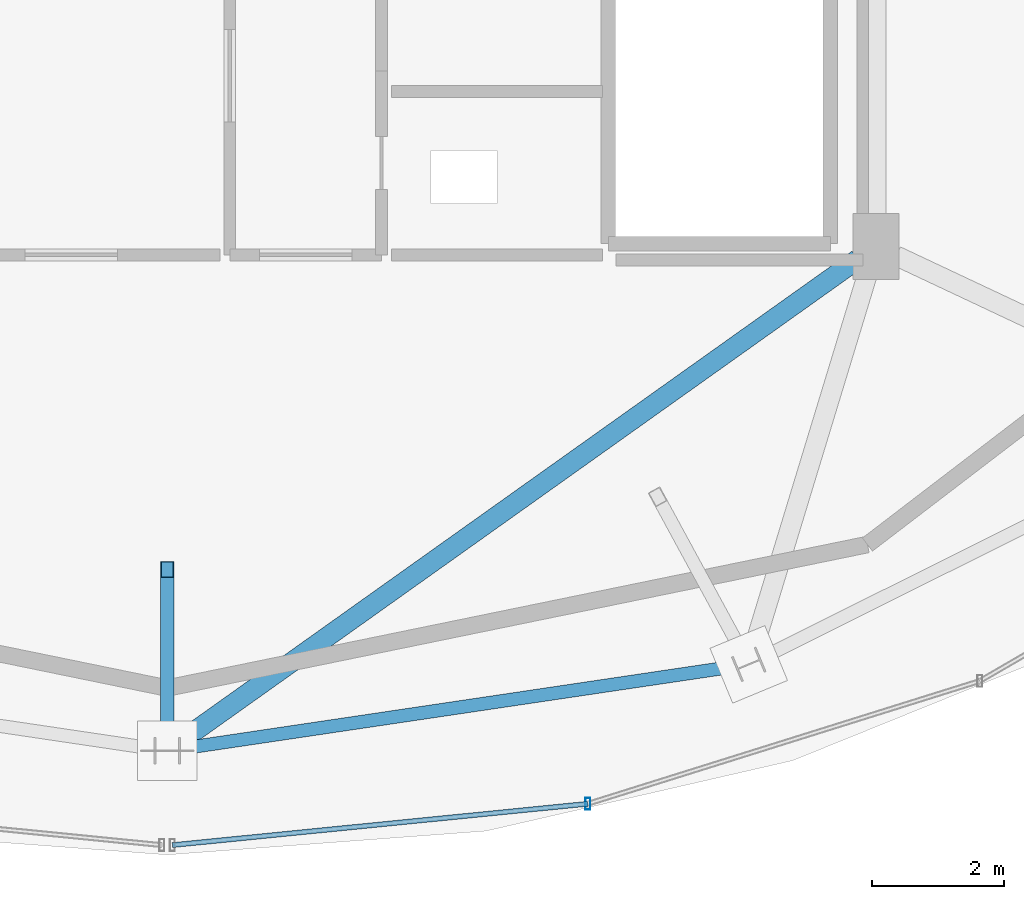
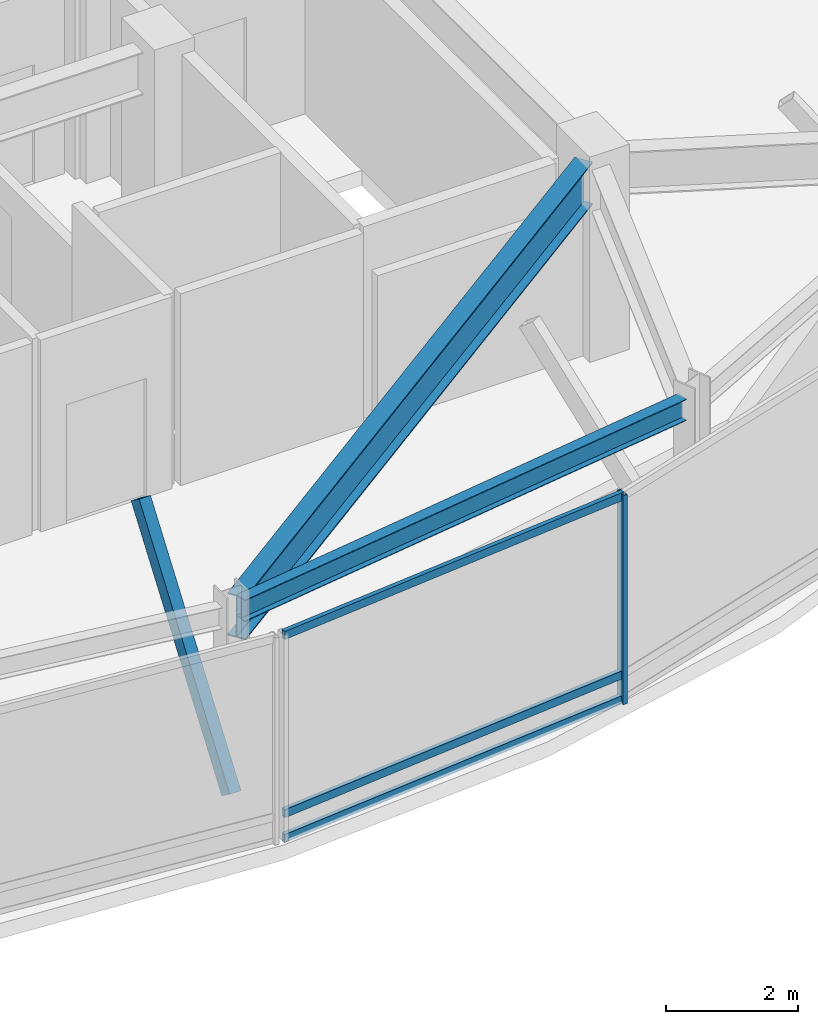
# One storey, part 7 of 28: 5 members, 2 beams, 1 element without a shape of its own.
"""IFC4 building model written with IfcOpenShell, lengths in metres."""

from ifc_helpers import new_model, si_unit, direction, frame, origin, origin_2d, place, context, subcontext, project, spatial, hollow_rectangle, i_section, extrude, material, material_profile, profile_set, type_object, element, aggregate, save


model = new_model("IFC4")

# Units and contexts
model_context = context("Model", 3, precision=1e-05, world=origin(), true_north=direction((0.0, 1.0)))
body_context = subcontext(model_context, "Body", "Model", "MODEL_VIEW")
ifc_project = project(units=[si_unit("LENGTHUNIT", "METRE"), si_unit("AREAUNIT", "SQUARE_METRE"), si_unit("VOLUMEUNIT", "CUBIC_METRE"), si_unit("PLANEANGLEUNIT", "RADIAN"), si_unit("MASSUNIT", "GRAM", prefix="KILO")], contexts=[model_context])

# Site, building, storey
site_placement = place(None, origin())
site = spatial("IfcSite", under=ifc_project, at=site_placement, CompositionType="ELEMENT")
building_placement = place(site_placement, origin())
building = spatial("IfcBuilding", under=site, at=building_placement, Name="Vorneva Point Tower", CompositionType="ELEMENT")
storey_placement = place(building_placement, frame((0.0, 0.0, 295.39990234375)))
storey = spatial("IfcBuildingStorey", under=building, at=storey_placement, Name="C01", CompositionType="ELEMENT", Elevation=295.39990234375)

# Beams
ifc_material_1 = material(Name="Steel S355", Category="steel")
ifc_material_profile_1 = material_profile(ifc_material_1, i_section(OverallWidth=0.300048828125, OverallDepth=0.7880859375, WebThickness=0.014404296875, FlangeThickness=0.02197265625, at=origin_2d()), Name="80Sh1")
ifc_profile_set_1 = profile_set([ifc_material_profile_1], Name="Steel S355")
beam_type_1 = type_object("IfcBeamType", Name="BM-GRD-80Sh1", PredefinedType="USERDEFINED", material=ifc_profile_set_1)
beam_1_placement = place(storey_placement, frame((38.1533203125, 8.908935546875, 3.156005859375), z_axis=(0.814745487686, 0.579818756419, 0.0), x_axis=(-0.579818756419, 0.814745487686, 0.0)))
element("IfcBeam", 1, at=beam_1_placement, inside=storey, type_object=beam_type_1, Name="C01 Radial Primary Girder 13", ObjectType="GIRDER", PredefinedType="USERDEFINED", context=body_context, shape_type="SweptSolid", body=[
    extrude(i_section(OverallWidth=0.300048828125, OverallDepth=0.7880859375, WebThickness=0.014404296875, FlangeThickness=0.02197265625, at=origin_2d()), origin(), (0.0, 0.0, 1.0), 12.666015625),
])
ifc_material_profile_2 = material_profile(ifc_material_1, i_section(OverallWidth=0.198974609375, OverallDepth=0.39599609375, WebThickness=0.007080078125, FlangeThickness=0.010986328125, at=origin_2d()), Name="40B1")
ifc_profile_set_2 = profile_set([ifc_material_profile_2], Name="Steel S355")
beam_type_2 = type_object("IfcBeamType", Name="BM-SPN-40B1", PredefinedType="SPANDREL", material=ifc_profile_set_2)
beam_2_placement = place(storey_placement, frame((38.18310546875, 8.8271484375, 3.35205078125), z_axis=(0.989164167153, 0.146813658836, 0.0), x_axis=(-0.146813658836, 0.989164167153, 0.0)))
element("IfcBeam", 2, at=beam_2_placement, inside=storey, type_object=beam_type_2, Name="C01 Perimeter Spandrel Ring Beam 13", PredefinedType="SPANDREL", context=body_context, shape_type="SweptSolid", body=[
    extrude(i_section(OverallWidth=0.198974609375, OverallDepth=0.39599609375, WebThickness=0.007080078125, FlangeThickness=0.010986328125, at=origin_2d()), origin(), (0.0, 0.0, 1.0), 8.54736328125),
])

# Curtain wall, members
ifc_material_2 = material(Name="Pale anodised aluminium", Category="aluminium")
curtain_wall_type = type_object("IfcCurtainWallType", Name="CW-CRN-SYS", PredefinedType="NOTDEFINED", material=ifc_material_2)
curtain_wall_placement = place(storey_placement, origin())
curtain_wall = element("IfcCurtainWall", 3, at=curtain_wall_placement, inside=storey, type_object=curtain_wall_type, Name="C01 Unitised Curtain Wall CW-C01-Q4", PredefinedType="NOTDEFINED")
ifc_material_profile_3 = material_profile(ifc_material_2, hollow_rectangle(XDim=0.074951171875, YDim=0.179931640625, WallThickness=0.00390625, at=origin_2d()), Name="AL-MUL 180x75x4")
ifc_profile_set_3 = profile_set([ifc_material_profile_3], Name="Pale anodised aluminium")
member_type_1 = type_object("IfcMemberType", Name="CW-MUL-180", PredefinedType="MULLION", material=ifc_profile_set_3)
member_1_placement = place(storey_placement, frame((44.3798828125, 7.9951171875, -0.039794921875), z_axis=(0.0, 0.0, 1.0), x_axis=(1.0, 0.0, 0.0)))
member_1 = element("IfcMember", 4, at=member_1_placement, type_object=member_type_1, Name="CW-C01-Q4 Mullion 02", PredefinedType="MULLION", context=body_context, shape_type="SweptSolid", body=[
    extrude(hollow_rectangle(XDim=0.074951171875, YDim=0.179931640625, WallThickness=0.00390625, at=origin_2d()), origin(), (0.0, 0.0, 1.0), 3.869873046875),
])
ifc_material_profile_4 = material_profile(ifc_material_2, hollow_rectangle(XDim=0.074951171875, YDim=0.14990234375, WallThickness=0.00390625, at=origin_2d()), Name="AL-TRN 150x75x4")
ifc_profile_set_4 = profile_set([ifc_material_profile_4], Name="Pale anodised aluminium")
member_type_2 = type_object("IfcMemberType", Name="CW-TRN-150", PredefinedType="USERDEFINED", material=ifc_profile_set_4)
member_2_placement = place(storey_placement, frame((38.07958984375, 7.367919921875, 0.02001953125), z_axis=(0.995081378477, 0.09906084094, 0.0), x_axis=(-0.09906084094, 0.995081378477, 0.0)))
member_2 = element("IfcMember", 5, at=member_2_placement, type_object=member_type_2, Name="CW-C01-Q4 Transom 01.1", ObjectType="TRANSOM", PredefinedType="USERDEFINED", context=body_context, shape_type="SweptSolid", body=[
    extrude(hollow_rectangle(XDim=0.074951171875, YDim=0.14990234375, WallThickness=0.00390625, at=origin_2d()), origin(), (0.0, 0.0, 1.0), 6.33154296875),
])
member_3_placement = place(storey_placement, frame((38.07958984375, 7.367919921875, 0.47998046875), z_axis=(0.995081378477, 0.09906084094, 0.0), x_axis=(-0.09906084094, 0.995081378477, 0.0)))
member_3 = element("IfcMember", 6, at=member_3_placement, type_object=member_type_2, Name="CW-C01-Q4 Transom 01.2", ObjectType="TRANSOM", PredefinedType="USERDEFINED", context=body_context, shape_type="SweptSolid", body=[
    extrude(hollow_rectangle(XDim=0.074951171875, YDim=0.14990234375, WallThickness=0.00390625, at=origin_2d()), origin(), (0.0, 0.0, 1.0), 6.33154296875),
])
member_4_placement = place(storey_placement, frame((38.07958984375, 7.367919921875, 3.780029296875), z_axis=(0.995081378477, 0.09906084094, 0.0), x_axis=(-0.09906084094, 0.995081378477, 0.0)))
member_4 = element("IfcMember", 7, at=member_4_placement, type_object=member_type_2, Name="CW-C01-Q4 Transom 01.3", ObjectType="TRANSOM", PredefinedType="USERDEFINED", context=body_context, shape_type="SweptSolid", body=[
    extrude(hollow_rectangle(XDim=0.074951171875, YDim=0.14990234375, WallThickness=0.00390625, at=origin_2d()), origin(), (0.0, 0.0, 1.0), 6.33154296875),
])
aggregate(curtain_wall, [member_1, member_2, member_3, member_4])

# Member
ifc_material_profile_5 = material_profile(ifc_material_1, hollow_rectangle(XDim=0.199951171875, YDim=0.300048828125, WallThickness=0.011962890625, at=origin_2d()), Name="PP 300x200x12")
ifc_profile_set_5 = profile_set([ifc_material_profile_5], Name="Steel S355")
member_type_3 = type_object("IfcMemberType", Name="MBR-CRN-PP300", PredefinedType="CHORD", material=ifc_profile_set_5)
member_5_placement = place(storey_placement, frame((38.0, 8.800048828125, 0.0), z_axis=(0.0, 0.586263716238, 0.810120271949), x_axis=(-1.0, 0.0, 0.0)))
element("IfcMember", 8, at=member_5_placement, inside=storey, type_object=member_type_3, Name="Crown Tapered Frame Rib C01-13", PredefinedType="CHORD", context=body_context, shape_type="SweptSolid", body=[
    extrude(hollow_rectangle(XDim=0.199951171875, YDim=0.300048828125, WallThickness=0.011962890625, at=origin_2d()), origin(), (0.0, 0.0, 1.0), 4.690673828125),
])

save(model, "model.ifc")
